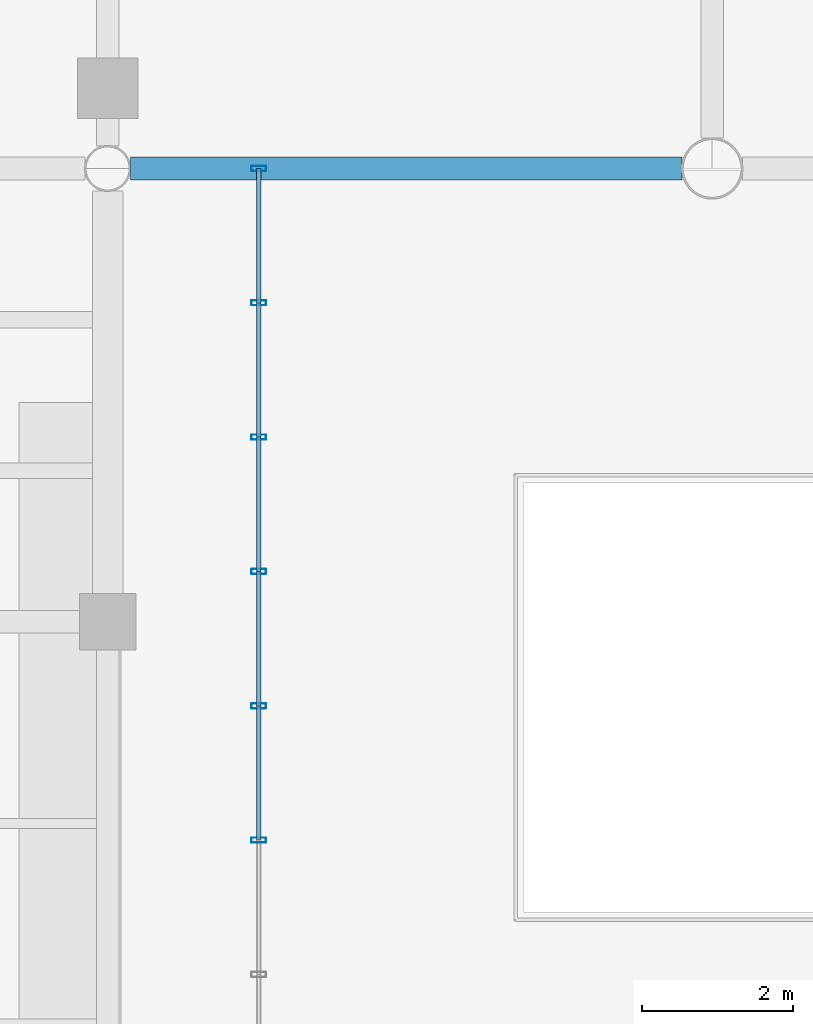
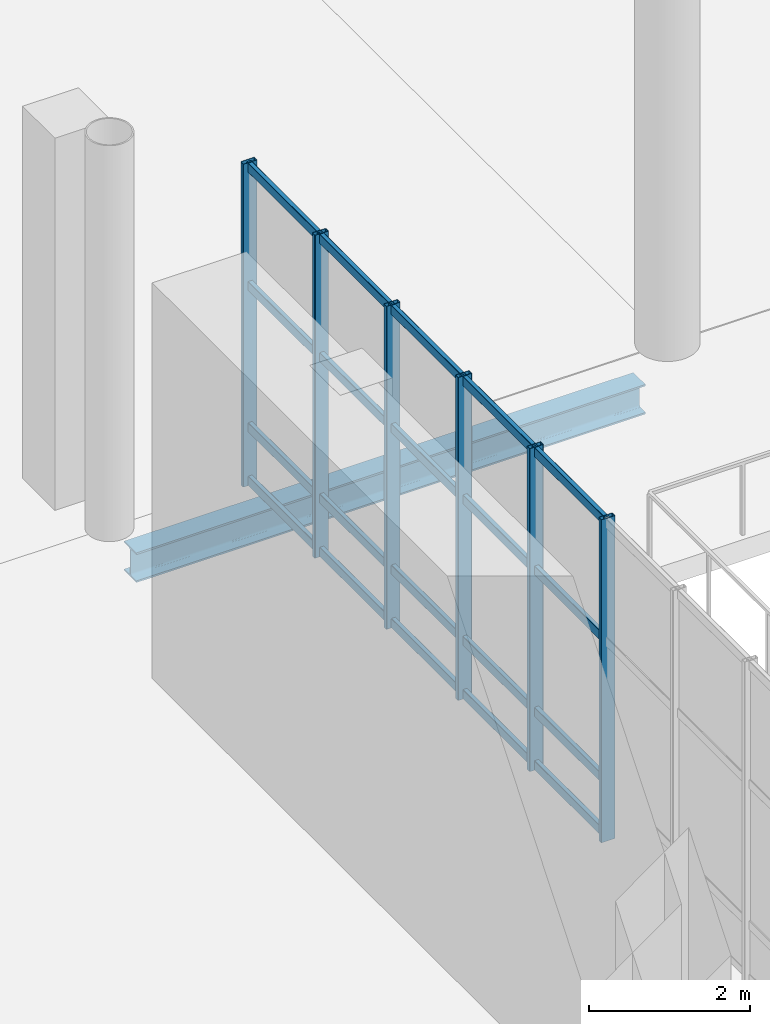
# One storey, part 70 of 163: 26 members, 1 beam, 1 element without a shape of its own.
"""IFC4 building model written with IfcOpenShell, lengths in metres."""

from ifc_helpers import new_model, si_unit, direction, frame, origin, origin_2d, place, context, subcontext, project, spatial, hollow_rectangle, i_section, extrude, material, layer, layer_set, material_profile, profile_set, type_object, element, aggregate, save


model = new_model("IFC4")

# Units and contexts
model_context = context("Model", 3, precision=1e-05, world=origin(), true_north=direction((0.0, 1.0)))
body_context = subcontext(model_context, "Body", "Model", "MODEL_VIEW")
ifc_project = project(units=[si_unit("LENGTHUNIT", "METRE"), si_unit("AREAUNIT", "SQUARE_METRE"), si_unit("VOLUMEUNIT", "CUBIC_METRE"), si_unit("PLANEANGLEUNIT", "RADIAN"), si_unit("MASSUNIT", "GRAM", prefix="KILO")], contexts=[model_context])

# Site, building, storey
site_placement = place(None, origin())
site = spatial("IfcSite", under=ifc_project, at=site_placement, CompositionType="ELEMENT")
building_placement = place(site_placement, origin())
building = spatial("IfcBuilding", under=site, at=building_placement, Name="Khorjan Park Terminus", CompositionType="ELEMENT")
storey_placement = place(building_placement, origin())
storey = spatial("IfcBuildingStorey", under=building, at=storey_placement, Name="L00", CompositionType="ELEMENT", Elevation=0.0)

# Beam
ifc_material_1 = material(Name="Steel S355", Category="steel")
ifc_material_profile_1 = material_profile(ifc_material_1, i_section(OverallWidth=0.3, OverallDepth=0.45, WebThickness=0.014, FlangeThickness=0.026, FilletRadius=0.027, at=origin_2d()), Name="HEB 450")
ifc_profile_set_1 = profile_set([ifc_material_profile_1], Name="Steel S355")
beam_type = type_object("IfcBeamType", Name="BM-HEB450", PredefinedType="BEAM", material=ifc_profile_set_1)
beam_placement = place(storey_placement, frame((72.3, 102.0, -0.625), z_axis=(1.0, 0.0, 0.0), x_axis=(0.0, 1.0, 0.0)))
element("IfcBeam", 1, at=beam_placement, inside=storey, type_object=beam_type, Name="Primary floor girder SB-B45 (L00)", PredefinedType="BEAM", context=body_context, shape_type="SweptSolid", body=[
    extrude(i_section(OverallWidth=0.3, OverallDepth=0.45, WebThickness=0.014, FlangeThickness=0.026, FilletRadius=0.027, at=origin_2d()), origin(), (0.0, 0.0, 1.0), 7.2985),
])

# Curtain wall, members
ifc_material_2 = material(Name="Anodized Bronze Aluminium", Category="aluminium")
ifc_layer = layer(ifc_material_2, 0.22)
ifc_layer_set = layer_set([ifc_layer], Name="Anodized Bronze Aluminium")
curtain_wall_type = type_object("IfcCurtainWallType", Name="CW-BRG-D", PredefinedType="NOTDEFINED", material=ifc_layer_set)
curtain_wall_placement = place(storey_placement, origin())
curtain_wall = element("IfcCurtainWall", 2, at=curtain_wall_placement, inside=storey, type_object=curtain_wall_type, Name="Unitized curtain wall CW-D (CW-NKW-E-L00)", PredefinedType="NOTDEFINED")
ifc_material_profile_2 = material_profile(ifc_material_2, hollow_rectangle(XDim=0.07, YDim=0.2, WallThickness=0.005, InnerFilletRadius=0.005, OuterFilletRadius=0.01, at=origin_2d()), Name="ALM 70x200x5")
ifc_profile_set_2 = profile_set([ifc_material_profile_2], Name="Anodized Bronze Aluminium")
member_type_1 = type_object("IfcMemberType", Name="ML-ALM-200", PredefinedType="MULLION", material=ifc_profile_set_2)
member_1_placement = place(storey_placement, frame((74.0, 93.1111, -0.035), z_axis=(0.0, 0.0, 1.0), x_axis=(0.0, 1.0, 0.0)))
member_1 = element("IfcMember", 3, at=member_1_placement, type_object=member_type_1, Name="Curtain-wall mullion ML-20 (CW-NKW-E-L00-4)", PredefinedType="MULLION", context=body_context, shape_type="SweptSolid", body=[
    extrude(hollow_rectangle(XDim=0.07, YDim=0.2, WallThickness=0.005, InnerFilletRadius=0.005, OuterFilletRadius=0.01, at=origin_2d()), origin(), (0.0, 0.0, 1.0), 4.895),
])
member_2_placement = place(storey_placement, frame((74.0, 94.8889, -0.035), z_axis=(0.0, 0.0, 1.0), x_axis=(0.0, 1.0, 0.0)))
member_2 = element("IfcMember", 4, at=member_2_placement, type_object=member_type_1, Name="Curtain-wall mullion ML-20 (CW-NKW-E-L00-5)", PredefinedType="MULLION", context=body_context, shape_type="SweptSolid", body=[
    extrude(hollow_rectangle(XDim=0.07, YDim=0.2, WallThickness=0.005, InnerFilletRadius=0.005, OuterFilletRadius=0.01, at=origin_2d()), origin(), (0.0, 0.0, 1.0), 4.895),
])
member_3_placement = place(storey_placement, frame((74.0, 96.6667, -0.035), z_axis=(0.0, 0.0, 1.0), x_axis=(0.0, 1.0, 0.0)))
member_3 = element("IfcMember", 5, at=member_3_placement, type_object=member_type_1, Name="Curtain-wall mullion ML-20 (CW-NKW-E-L00-6)", PredefinedType="MULLION", context=body_context, shape_type="SweptSolid", body=[
    extrude(hollow_rectangle(XDim=0.07, YDim=0.2, WallThickness=0.005, InnerFilletRadius=0.005, OuterFilletRadius=0.01, at=origin_2d()), origin(), (0.0, 0.0, 1.0), 4.895),
])
member_4_placement = place(storey_placement, frame((74.0, 98.4444, -0.035), z_axis=(0.0, 0.0, 1.0), x_axis=(0.0, 1.0, 0.0)))
member_4 = element("IfcMember", 6, at=member_4_placement, type_object=member_type_1, Name="Curtain-wall mullion ML-20 (CW-NKW-E-L00-7)", PredefinedType="MULLION", context=body_context, shape_type="SweptSolid", body=[
    extrude(hollow_rectangle(XDim=0.07, YDim=0.2, WallThickness=0.005, InnerFilletRadius=0.005, OuterFilletRadius=0.01, at=origin_2d()), origin(), (0.0, 0.0, 1.0), 4.895),
])
member_5_placement = place(storey_placement, frame((74.0, 100.2222, -0.035), z_axis=(0.0, 0.0, 1.0), x_axis=(0.0, 1.0, 0.0)))
member_5 = element("IfcMember", 7, at=member_5_placement, type_object=member_type_1, Name="Curtain-wall mullion ML-20 (CW-NKW-E-L00-8)", PredefinedType="MULLION", context=body_context, shape_type="SweptSolid", body=[
    extrude(hollow_rectangle(XDim=0.07, YDim=0.2, WallThickness=0.005, InnerFilletRadius=0.005, OuterFilletRadius=0.01, at=origin_2d()), origin(), (0.0, 0.0, 1.0), 4.895),
])
member_6_placement = place(storey_placement, frame((74.0, 102.0, -0.035), z_axis=(0.0, 0.0, 1.0), x_axis=(0.0, 1.0, 0.0)))
member_6 = element("IfcMember", 8, at=member_6_placement, type_object=member_type_1, Name="Curtain-wall mullion ML-20 (CW-NKW-E-L00-9)", PredefinedType="MULLION", context=body_context, shape_type="SweptSolid", body=[
    extrude(hollow_rectangle(XDim=0.07, YDim=0.2, WallThickness=0.005, InnerFilletRadius=0.005, OuterFilletRadius=0.01, at=origin_2d()), origin(), (0.0, 0.0, 1.0), 4.895),
])
ifc_material_profile_3 = material_profile(ifc_material_2, hollow_rectangle(XDim=0.065, YDim=0.14, WallThickness=0.004, InnerFilletRadius=0.004, OuterFilletRadius=0.008, at=origin_2d()), Name="ALT 65x140x4")
ifc_profile_set_3 = profile_set([ifc_material_profile_3], Name="Anodized Bronze Aluminium")
member_type_2 = type_object("IfcMemberType", Name="TR-ALT-140", PredefinedType="USERDEFINED", material=ifc_profile_set_3)
member_7_placement = place(storey_placement, frame((74.0, 93.1111, 0.04), z_axis=(0.0, 1.0, 0.0), x_axis=(-1.0, 0.0, 0.0)))
member_7 = element("IfcMember", 9, at=member_7_placement, type_object=member_type_2, Name="Curtain-wall transom TR-14 (CW-NKW-E-L00-4-1)", ObjectType="TRANSOM", PredefinedType="USERDEFINED", context=body_context, shape_type="SweptSolid", body=[
    extrude(hollow_rectangle(XDim=0.065, YDim=0.14, WallThickness=0.004, InnerFilletRadius=0.004, OuterFilletRadius=0.008, at=origin_2d()), origin(), (0.0, 0.0, 1.0), 1.7778),
])
member_8_placement = place(storey_placement, frame((74.0, 93.1111, 0.85), z_axis=(0.0, 1.0, 0.0), x_axis=(-1.0, 0.0, 0.0)))
member_8 = element("IfcMember", 10, at=member_8_placement, type_object=member_type_2, Name="Curtain-wall transom TR-14 (CW-NKW-E-L00-4-2)", ObjectType="TRANSOM", PredefinedType="USERDEFINED", context=body_context, shape_type="SweptSolid", body=[
    extrude(hollow_rectangle(XDim=0.065, YDim=0.14, WallThickness=0.004, InnerFilletRadius=0.004, OuterFilletRadius=0.008, at=origin_2d()), origin(), (0.0, 0.0, 1.0), 1.7778),
])
member_9_placement = place(storey_placement, frame((74.0, 93.1111, 2.9915), z_axis=(0.0, 1.0, 0.0), x_axis=(-1.0, 0.0, 0.0)))
member_9 = element("IfcMember", 11, at=member_9_placement, type_object=member_type_2, Name="Curtain-wall transom TR-14 (CW-NKW-E-L00-4-3)", ObjectType="TRANSOM", PredefinedType="USERDEFINED", context=body_context, shape_type="SweptSolid", body=[
    extrude(hollow_rectangle(XDim=0.065, YDim=0.14, WallThickness=0.004, InnerFilletRadius=0.004, OuterFilletRadius=0.008, at=origin_2d()), origin(), (0.0, 0.0, 1.0), 1.7778),
])
member_10_placement = place(storey_placement, frame((74.0, 93.1111, 4.785), z_axis=(0.0, 1.0, 0.0), x_axis=(-1.0, 0.0, 0.0)))
member_10 = element("IfcMember", 12, at=member_10_placement, type_object=member_type_2, Name="Curtain-wall transom TR-14 (CW-NKW-E-L00-4-4)", ObjectType="TRANSOM", PredefinedType="USERDEFINED", context=body_context, shape_type="SweptSolid", body=[
    extrude(hollow_rectangle(XDim=0.065, YDim=0.14, WallThickness=0.004, InnerFilletRadius=0.004, OuterFilletRadius=0.008, at=origin_2d()), origin(), (0.0, 0.0, 1.0), 1.7778),
])
member_11_placement = place(storey_placement, frame((74.0, 94.8889, 0.04), z_axis=(0.0, 1.0, 0.0), x_axis=(-1.0, 0.0, 0.0)))
member_11 = element("IfcMember", 13, at=member_11_placement, type_object=member_type_2, Name="Curtain-wall transom TR-14 (CW-NKW-E-L00-5-1)", ObjectType="TRANSOM", PredefinedType="USERDEFINED", context=body_context, shape_type="SweptSolid", body=[
    extrude(hollow_rectangle(XDim=0.065, YDim=0.14, WallThickness=0.004, InnerFilletRadius=0.004, OuterFilletRadius=0.008, at=origin_2d()), origin(), (0.0, 0.0, 1.0), 1.7778),
])
member_12_placement = place(storey_placement, frame((74.0, 94.8889, 0.85), z_axis=(0.0, 1.0, 0.0), x_axis=(-1.0, 0.0, 0.0)))
member_12 = element("IfcMember", 14, at=member_12_placement, type_object=member_type_2, Name="Curtain-wall transom TR-14 (CW-NKW-E-L00-5-2)", ObjectType="TRANSOM", PredefinedType="USERDEFINED", context=body_context, shape_type="SweptSolid", body=[
    extrude(hollow_rectangle(XDim=0.065, YDim=0.14, WallThickness=0.004, InnerFilletRadius=0.004, OuterFilletRadius=0.008, at=origin_2d()), origin(), (0.0, 0.0, 1.0), 1.7778),
])
member_13_placement = place(storey_placement, frame((74.0, 94.8889, 2.9915), z_axis=(0.0, 1.0, 0.0), x_axis=(-1.0, 0.0, 0.0)))
member_13 = element("IfcMember", 15, at=member_13_placement, type_object=member_type_2, Name="Curtain-wall transom TR-14 (CW-NKW-E-L00-5-3)", ObjectType="TRANSOM", PredefinedType="USERDEFINED", context=body_context, shape_type="SweptSolid", body=[
    extrude(hollow_rectangle(XDim=0.065, YDim=0.14, WallThickness=0.004, InnerFilletRadius=0.004, OuterFilletRadius=0.008, at=origin_2d()), origin(), (0.0, 0.0, 1.0), 1.7778),
])
member_14_placement = place(storey_placement, frame((74.0, 94.8889, 4.785), z_axis=(0.0, 1.0, 0.0), x_axis=(-1.0, 0.0, 0.0)))
member_14 = element("IfcMember", 16, at=member_14_placement, type_object=member_type_2, Name="Curtain-wall transom TR-14 (CW-NKW-E-L00-5-4)", ObjectType="TRANSOM", PredefinedType="USERDEFINED", context=body_context, shape_type="SweptSolid", body=[
    extrude(hollow_rectangle(XDim=0.065, YDim=0.14, WallThickness=0.004, InnerFilletRadius=0.004, OuterFilletRadius=0.008, at=origin_2d()), origin(), (0.0, 0.0, 1.0), 1.7778),
])
member_15_placement = place(storey_placement, frame((74.0, 96.6667, 0.04), z_axis=(0.0, 1.0, 0.0), x_axis=(-1.0, 0.0, 0.0)))
member_15 = element("IfcMember", 17, at=member_15_placement, type_object=member_type_2, Name="Curtain-wall transom TR-14 (CW-NKW-E-L00-6-1)", ObjectType="TRANSOM", PredefinedType="USERDEFINED", context=body_context, shape_type="SweptSolid", body=[
    extrude(hollow_rectangle(XDim=0.065, YDim=0.14, WallThickness=0.004, InnerFilletRadius=0.004, OuterFilletRadius=0.008, at=origin_2d()), origin(), (0.0, 0.0, 1.0), 1.7777),
])
member_16_placement = place(storey_placement, frame((74.0, 96.6667, 0.85), z_axis=(0.0, 1.0, 0.0), x_axis=(-1.0, 0.0, 0.0)))
member_16 = element("IfcMember", 18, at=member_16_placement, type_object=member_type_2, Name="Curtain-wall transom TR-14 (CW-NKW-E-L00-6-2)", ObjectType="TRANSOM", PredefinedType="USERDEFINED", context=body_context, shape_type="SweptSolid", body=[
    extrude(hollow_rectangle(XDim=0.065, YDim=0.14, WallThickness=0.004, InnerFilletRadius=0.004, OuterFilletRadius=0.008, at=origin_2d()), origin(), (0.0, 0.0, 1.0), 1.7777),
])
member_17_placement = place(storey_placement, frame((74.0, 96.6667, 2.9915), z_axis=(0.0, 1.0, 0.0), x_axis=(-1.0, 0.0, 0.0)))
member_17 = element("IfcMember", 19, at=member_17_placement, type_object=member_type_2, Name="Curtain-wall transom TR-14 (CW-NKW-E-L00-6-3)", ObjectType="TRANSOM", PredefinedType="USERDEFINED", context=body_context, shape_type="SweptSolid", body=[
    extrude(hollow_rectangle(XDim=0.065, YDim=0.14, WallThickness=0.004, InnerFilletRadius=0.004, OuterFilletRadius=0.008, at=origin_2d()), origin(), (0.0, 0.0, 1.0), 1.7777),
])
member_18_placement = place(storey_placement, frame((74.0, 96.6667, 4.785), z_axis=(0.0, 1.0, 0.0), x_axis=(-1.0, 0.0, 0.0)))
member_18 = element("IfcMember", 20, at=member_18_placement, type_object=member_type_2, Name="Curtain-wall transom TR-14 (CW-NKW-E-L00-6-4)", ObjectType="TRANSOM", PredefinedType="USERDEFINED", context=body_context, shape_type="SweptSolid", body=[
    extrude(hollow_rectangle(XDim=0.065, YDim=0.14, WallThickness=0.004, InnerFilletRadius=0.004, OuterFilletRadius=0.008, at=origin_2d()), origin(), (0.0, 0.0, 1.0), 1.7777),
])
member_19_placement = place(storey_placement, frame((74.0, 98.4444, 0.04), z_axis=(0.0, 1.0, 0.0), x_axis=(-1.0, 0.0, 0.0)))
member_19 = element("IfcMember", 21, at=member_19_placement, type_object=member_type_2, Name="Curtain-wall transom TR-14 (CW-NKW-E-L00-7-1)", ObjectType="TRANSOM", PredefinedType="USERDEFINED", context=body_context, shape_type="SweptSolid", body=[
    extrude(hollow_rectangle(XDim=0.065, YDim=0.14, WallThickness=0.004, InnerFilletRadius=0.004, OuterFilletRadius=0.008, at=origin_2d()), origin(), (0.0, 0.0, 1.0), 1.7778),
])
member_20_placement = place(storey_placement, frame((74.0, 98.4444, 0.85), z_axis=(0.0, 1.0, 0.0), x_axis=(-1.0, 0.0, 0.0)))
member_20 = element("IfcMember", 22, at=member_20_placement, type_object=member_type_2, Name="Curtain-wall transom TR-14 (CW-NKW-E-L00-7-2)", ObjectType="TRANSOM", PredefinedType="USERDEFINED", context=body_context, shape_type="SweptSolid", body=[
    extrude(hollow_rectangle(XDim=0.065, YDim=0.14, WallThickness=0.004, InnerFilletRadius=0.004, OuterFilletRadius=0.008, at=origin_2d()), origin(), (0.0, 0.0, 1.0), 1.7778),
])
member_21_placement = place(storey_placement, frame((74.0, 98.4444, 2.9915), z_axis=(0.0, 1.0, 0.0), x_axis=(-1.0, 0.0, 0.0)))
member_21 = element("IfcMember", 23, at=member_21_placement, type_object=member_type_2, Name="Curtain-wall transom TR-14 (CW-NKW-E-L00-7-3)", ObjectType="TRANSOM", PredefinedType="USERDEFINED", context=body_context, shape_type="SweptSolid", body=[
    extrude(hollow_rectangle(XDim=0.065, YDim=0.14, WallThickness=0.004, InnerFilletRadius=0.004, OuterFilletRadius=0.008, at=origin_2d()), origin(), (0.0, 0.0, 1.0), 1.7778),
])
member_22_placement = place(storey_placement, frame((74.0, 98.4444, 4.785), z_axis=(0.0, 1.0, 0.0), x_axis=(-1.0, 0.0, 0.0)))
member_22 = element("IfcMember", 24, at=member_22_placement, type_object=member_type_2, Name="Curtain-wall transom TR-14 (CW-NKW-E-L00-7-4)", ObjectType="TRANSOM", PredefinedType="USERDEFINED", context=body_context, shape_type="SweptSolid", body=[
    extrude(hollow_rectangle(XDim=0.065, YDim=0.14, WallThickness=0.004, InnerFilletRadius=0.004, OuterFilletRadius=0.008, at=origin_2d()), origin(), (0.0, 0.0, 1.0), 1.7778),
])
member_23_placement = place(storey_placement, frame((74.0, 100.2222, 0.04), z_axis=(0.0, 1.0, 0.0), x_axis=(-1.0, 0.0, 0.0)))
member_23 = element("IfcMember", 25, at=member_23_placement, type_object=member_type_2, Name="Curtain-wall transom TR-14 (CW-NKW-E-L00-8-1)", ObjectType="TRANSOM", PredefinedType="USERDEFINED", context=body_context, shape_type="SweptSolid", body=[
    extrude(hollow_rectangle(XDim=0.065, YDim=0.14, WallThickness=0.004, InnerFilletRadius=0.004, OuterFilletRadius=0.008, at=origin_2d()), origin(), (0.0, 0.0, 1.0), 1.7778),
])
member_24_placement = place(storey_placement, frame((74.0, 100.2222, 0.85), z_axis=(0.0, 1.0, 0.0), x_axis=(-1.0, 0.0, 0.0)))
member_24 = element("IfcMember", 26, at=member_24_placement, type_object=member_type_2, Name="Curtain-wall transom TR-14 (CW-NKW-E-L00-8-2)", ObjectType="TRANSOM", PredefinedType="USERDEFINED", context=body_context, shape_type="SweptSolid", body=[
    extrude(hollow_rectangle(XDim=0.065, YDim=0.14, WallThickness=0.004, InnerFilletRadius=0.004, OuterFilletRadius=0.008, at=origin_2d()), origin(), (0.0, 0.0, 1.0), 1.7778),
])
member_25_placement = place(storey_placement, frame((74.0, 100.2222, 2.9915), z_axis=(0.0, 1.0, 0.0), x_axis=(-1.0, 0.0, 0.0)))
member_25 = element("IfcMember", 27, at=member_25_placement, type_object=member_type_2, Name="Curtain-wall transom TR-14 (CW-NKW-E-L00-8-3)", ObjectType="TRANSOM", PredefinedType="USERDEFINED", context=body_context, shape_type="SweptSolid", body=[
    extrude(hollow_rectangle(XDim=0.065, YDim=0.14, WallThickness=0.004, InnerFilletRadius=0.004, OuterFilletRadius=0.008, at=origin_2d()), origin(), (0.0, 0.0, 1.0), 1.7778),
])
member_26_placement = place(storey_placement, frame((74.0, 100.2222, 4.785), z_axis=(0.0, 1.0, 0.0), x_axis=(-1.0, 0.0, 0.0)))
member_26 = element("IfcMember", 28, at=member_26_placement, type_object=member_type_2, Name="Curtain-wall transom TR-14 (CW-NKW-E-L00-8-4)", ObjectType="TRANSOM", PredefinedType="USERDEFINED", context=body_context, shape_type="SweptSolid", body=[
    extrude(hollow_rectangle(XDim=0.065, YDim=0.14, WallThickness=0.004, InnerFilletRadius=0.004, OuterFilletRadius=0.008, at=origin_2d()), origin(), (0.0, 0.0, 1.0), 1.7778),
])
aggregate(curtain_wall, [member_1, member_2, member_3, member_4, member_5, member_6, member_7, member_8, member_9, member_10, member_11, member_12, member_13, member_14, member_15, member_16, member_17, member_18, member_19, member_20, member_21, member_22, member_23, member_24, member_25, member_26])

save(model, "model.ifc")
